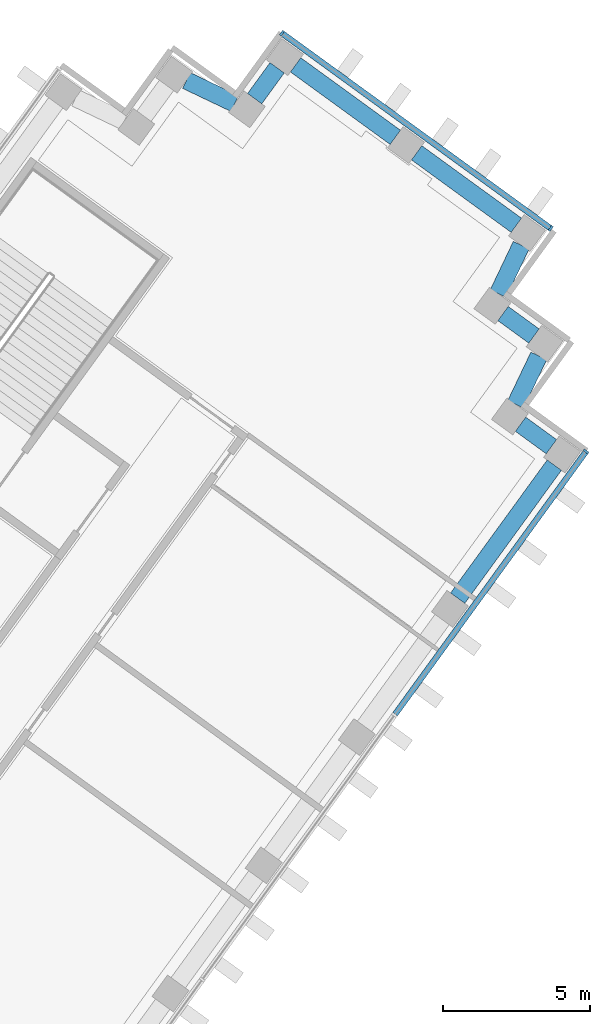
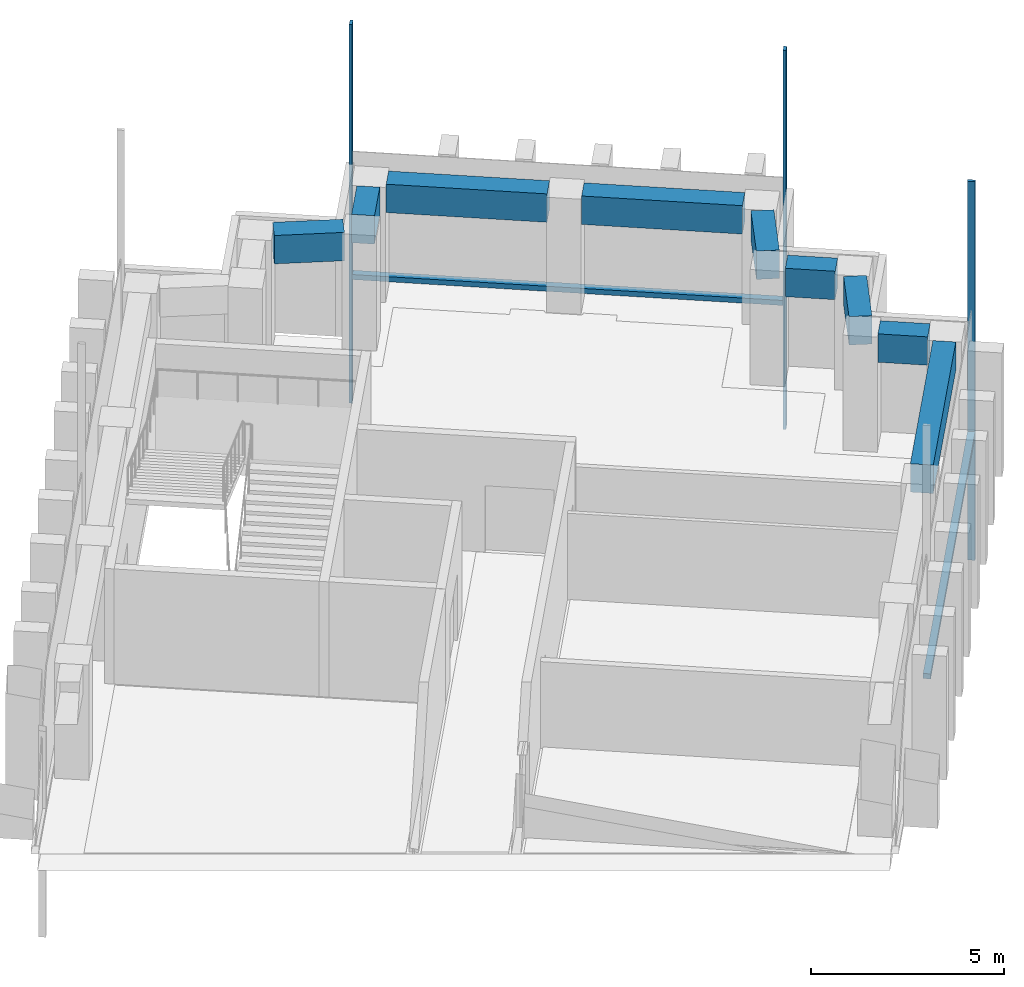
# One storey, part 7 of 19: 9 beams, 5 members, 2 elements without a shape of their own.
"""IFC4 building model written with IfcOpenShell, lengths in metres."""

from ifc_helpers import new_model, si_unit, direction, frame, origin, origin_2d, place, context, subcontext, project, spatial, rectangle, extrude, material, material_profile, profile_set, type_object, element, aggregate, save


model = new_model("IFC4")

# Units and contexts
model_context = context("Model", 3, precision=1e-05, world=origin(), true_north=direction((0.0, 1.0)))
body_context = subcontext(model_context, "Body", "Model", "MODEL_VIEW")
ifc_project = project(units=[si_unit("LENGTHUNIT", "METRE"), si_unit("AREAUNIT", "SQUARE_METRE"), si_unit("VOLUMEUNIT", "CUBIC_METRE"), si_unit("PLANEANGLEUNIT", "RADIAN"), si_unit("MASSUNIT", "GRAM", prefix="KILO")], contexts=[model_context])

# Site, building, storey
site_placement = place(None, origin())
site = spatial("IfcSite", under=ifc_project, at=site_placement, CompositionType="ELEMENT")
building_placement = place(site_placement, origin())
building = spatial("IfcBuilding", under=site, at=building_placement, Name="Quipu Civic Tower", CompositionType="ELEMENT")
storey_placement = place(building_placement, frame((0.0, 0.0, 35.0)))
storey = spatial("IfcBuildingStorey", under=building, at=storey_placement, Name="L07", CompositionType="ELEMENT", Elevation=35.0)

# Curtain wall, member
ifc_material_1 = material(Name="Insulated glass unit", Category="glass")
curtain_wall_type = type_object("IfcCurtainWallType", Name="Office curtain wall CW1", PredefinedType="NOTDEFINED", material=ifc_material_1)
curtain_wall_1_placement = place(storey_placement, origin())
curtain_wall_1 = element("IfcCurtainWall", 1, at=curtain_wall_1_placement, inside=storey, type_object=curtain_wall_type, Name="Office curtain wall CW1 L06 run 16", PredefinedType="NOTDEFINED")
ifc_material_2 = material(Name="Anodised aluminium", Category="aluminium")
ifc_material_profile_1 = material_profile(ifc_material_2, rectangle(XDim=0.199951171875, YDim=0.080078125, at=origin_2d()), Name="RECT 200x80")
ifc_profile_set_1 = profile_set([ifc_material_profile_1], Name="Anodised aluminium")
member_type_1 = type_object("IfcMemberType", Name="Mullion CW1", PredefinedType="MULLION", material=ifc_profile_set_1)
member_1_placement = place(storey_placement, frame((55.23046875, 29.606201171875, -3.919921875), z_axis=(0.0, 0.0, 1.0), x_axis=(-0.809016770908, 0.587785559869, 0.0)))
member_1 = element("IfcMember", 2, at=member_1_placement, type_object=member_type_1, Name="CW1 mullion 5", PredefinedType="MULLION", context=body_context, shape_type="SweptSolid", body=[
    extrude(rectangle(XDim=0.199951171875, YDim=0.080078125, at=origin_2d()), origin(), (0.0, 0.0, 1.0), 12.0),
])

# Curtain wall, members
curtain_wall_2_placement = place(storey_placement, origin())
curtain_wall_2 = element("IfcCurtainWall", 3, at=curtain_wall_2_placement, inside=storey, type_object=curtain_wall_type, Name="Office curtain wall CW1 L06 run 21", PredefinedType="NOTDEFINED")
member_2_placement = place(storey_placement, frame((54.027099609375, 37.204833984375, -3.919921875), z_axis=(0.0, 0.0, 1.0), x_axis=(-0.587782012621, -0.809019348124, 0.0)))
member_2 = element("IfcMember", 4, at=member_2_placement, type_object=member_type_1, Name="CW1 mullion 1", PredefinedType="MULLION", context=body_context, shape_type="SweptSolid", body=[
    extrude(rectangle(XDim=0.199951171875, YDim=0.080078125, at=origin_2d()), origin(), (0.0, 0.0, 1.0), 12.0),
])
member_3_placement = place(storey_placement, frame((44.869140625, 43.858642578125, -3.919921875), z_axis=(0.0, 0.0, 1.0), x_axis=(-0.587782012621, -0.809019348124, 0.0)))
member_3 = element("IfcMember", 5, at=member_3_placement, type_object=member_type_1, Name="CW1 mullion 2", PredefinedType="MULLION", context=body_context, shape_type="SweptSolid", body=[
    extrude(rectangle(XDim=0.199951171875, YDim=0.080078125, at=origin_2d()), origin(), (0.0, 0.0, 1.0), 12.0),
])

# Beams
ifc_material_3 = material(Name="Concrete C50/60", Category="concrete")
ifc_material_profile_2 = material_profile(ifc_material_3, rectangle(XDim=0.60009765625, YDim=0.89990234375, at=origin_2d()), Name="RC600x900")
ifc_profile_set_2 = profile_set([ifc_material_profile_2], Name="Concrete C50/60")
beam_type = type_object("IfcBeamType", Name="Spandrel beam RC 600x900 C50/60", PredefinedType="SPANDREL", material=ifc_profile_set_2)
beam_1_placement = place(storey_placement, frame((50.85693359375, 24.607666015625, 3.199951171875), z_axis=(0.587772657145, 0.809026145135, 0.0), x_axis=(-0.809026145135, 0.587772657145, 0.0)))
element("IfcBeam", 6, at=beam_1_placement, inside=storey, type_object=beam_type, Name="Spandrel beam L07 E-OUT-07 to T-Eo.0-E50", PredefinedType="SPANDREL", context=body_context, shape_type="SweptSolid", body=[
    extrude(rectangle(XDim=0.60009765625, YDim=0.89990234375, at=origin_2d()), origin(), (0.0, 0.0, 1.0), 5.603271484375),
])
beam_2_placement = place(storey_placement, frame((54.051025390625, 29.769775390625, 3.199951171875), z_axis=(-0.808549242423, 0.588428519514, 0.0), x_axis=(-0.588428519514, -0.808549242423, 0.0)))
element("IfcBeam", 7, at=beam_2_placement, inside=storey, type_object=beam_type, Name="Spandrel beam L07 T-Eo.0-E50 to T-Eo.1-E50", PredefinedType="SPANDREL", context=body_context, shape_type="SweptSolid", body=[
    extrude(rectangle(XDim=0.60009765625, YDim=0.89990234375, at=origin_2d()), origin(), (0.0, 0.0, 1.0), 1.2998046875),
])
beam_3_placement = place(storey_placement, frame((52.83349609375, 31.21240234375, 3.199951171875), z_axis=(0.431446050156, 0.902138739776, 0.0), x_axis=(-0.902138739776, 0.431446050156, 0.0)))
element("IfcBeam", 8, at=beam_3_placement, inside=storey, type_object=beam_type, Name="Spandrel beam L07 T-Eo.1-E50 to T-Eo.2-E50", PredefinedType="SPANDREL", context=body_context, shape_type="SweptSolid", body=[
    extrude(rectangle(XDim=0.60009765625, YDim=0.89990234375, at=origin_2d()), origin(), (0.0, 0.0, 1.0), 1.828857421875),
])
beam_4_placement = place(storey_placement, frame((53.4560546875, 33.539794921875, 3.199951171875), z_axis=(-0.808509099783, 0.588483674853, 0.0), x_axis=(-0.588483674853, -0.808509099783, 0.0)))
element("IfcBeam", 9, at=beam_4_placement, inside=storey, type_object=beam_type, Name="Spandrel beam L07 T-Eo.2-E50 to T-Eo.3-E50", PredefinedType="SPANDREL", context=body_context, shape_type="SweptSolid", body=[
    extrude(rectangle(XDim=0.60009765625, YDim=0.89990234375, at=origin_2d()), origin(), (0.0, 0.0, 1.0), 1.302734375),
])
beam_5_placement = place(storey_placement, frame((52.23583984375, 34.984375, 3.199951171875), z_axis=(0.430166558323, 0.902749540072, 0.0), x_axis=(-0.902749540072, 0.430166558323, 0.0)))
element("IfcBeam", 10, at=beam_5_placement, inside=storey, type_object=beam_type, Name="Spandrel beam L07 T-Eo.3-E50 to T-Eo.4-E50", PredefinedType="SPANDREL", context=body_context, shape_type="SweptSolid", body=[
    extrude(rectangle(XDim=0.60009765625, YDim=0.89990234375, at=origin_2d()), origin(), (0.0, 0.0, 1.0), 1.830322265625),
])
beam_6_placement = place(storey_placement, frame((52.85595703125, 37.314453125, 3.199951171875), z_axis=(-0.808959834407, 0.587863918196, 0.0), x_axis=(-0.587863918196, -0.808959834407, 0.0)))
element("IfcBeam", 11, at=beam_6_placement, inside=storey, type_object=beam_type, Name="Spandrel beam L07 T-Eo.4-E50 to TIP-E-01-E50", PredefinedType="SPANDREL", context=body_context, shape_type="SweptSolid", body=[
    extrude(rectangle(XDim=0.60009765625, YDim=0.89990234375, at=origin_2d()), origin(), (0.0, 0.0, 1.0), 4.1982421875),
])
beam_7_placement = place(storey_placement, frame((48.731689453125, 40.3115234375, 3.199951171875), z_axis=(-0.808969789945, 0.58785021813, 0.0), x_axis=(-0.58785021813, -0.808969789945, 0.0)))
element("IfcBeam", 12, at=beam_7_placement, inside=storey, type_object=beam_type, Name="Spandrel beam L07 TIP-E-01-E50 to T-Ei.0-E50", PredefinedType="SPANDREL", context=body_context, shape_type="SweptSolid", body=[
    extrude(rectangle(XDim=0.60009765625, YDim=0.89990234375, at=origin_2d()), origin(), (0.0, 0.0, 1.0), 4.199951171875),
])
beam_8_placement = place(storey_placement, frame((44.705322265625, 42.68115234375, 3.199951171875), z_axis=(-0.588383572423, -0.808581951136, 0.0), x_axis=(0.808581951136, -0.588383572423, 0.0)))
element("IfcBeam", 13, at=beam_8_placement, inside=storey, type_object=beam_type, Name="Spandrel beam L07 T-Ei.0-E50 to T-Ei.1-E50", PredefinedType="SPANDREL", context=body_context, shape_type="SweptSolid", body=[
    extrude(rectangle(XDim=0.60009765625, YDim=0.89990234375, at=origin_2d()), origin(), (0.0, 0.0, 1.0), 1.3017578125),
])
beam_9_placement = place(storey_placement, frame((43.261474609375, 41.4619140625, 3.199951171875), z_axis=(-0.902613270121, 0.430452418511, 0.0), x_axis=(-0.430452418511, -0.902613270121, 0.0)))
element("IfcBeam", 14, at=beam_9_placement, inside=storey, type_object=beam_type, Name="Spandrel beam L07 T-Ei.1-E50 to T-Ei.2-E50", PredefinedType="SPANDREL", context=body_context, shape_type="SweptSolid", body=[
    extrude(rectangle(XDim=0.60009765625, YDim=0.89990234375, at=origin_2d()), origin(), (0.0, 0.0, 1.0), 1.826416015625),
])

# Member
ifc_material_4 = material(Name="Anodised aluminium", Category="aluminium")
ifc_material_profile_3 = material_profile(ifc_material_4, rectangle(XDim=0.199951171875, YDim=0.159912109375, at=origin_2d()), Name="RECT 200x160")
ifc_profile_set_3 = profile_set([ifc_material_profile_3], Name="Anodised aluminium")
member_type_2 = type_object("IfcMemberType", Name="Transom CW1", PredefinedType="USERDEFINED", material=ifc_profile_set_3)
member_4_placement = place(storey_placement, frame((48.72802734375, 20.65625, 0.080078125), z_axis=(0.587779179422, 0.809021406539, 0.0), x_axis=(-0.809021406539, 0.587779179422, 0.0)))
member_4 = element("IfcMember", 15, at=member_4_placement, type_object=member_type_2, Name="CW1 transom 4.2", ObjectType="TRANSOM", PredefinedType="USERDEFINED", context=body_context, shape_type="SweptSolid", body=[
    extrude(rectangle(XDim=0.199951171875, YDim=0.159912109375, at=origin_2d()), origin(), (0.0, 0.0, 1.0), 11.02294921875),
])

aggregate(curtain_wall_1, [member_1, member_4])

member_5_placement = place(storey_placement, frame((53.994873046875, 37.228515625, 0.080078125), z_axis=(-0.809032792449, 0.587763507495, 0.0), x_axis=(-0.587763507495, -0.809032792449, 0.0)))
member_5 = element("IfcMember", 16, at=member_5_placement, type_object=member_type_2, Name="CW1 transom 1.2", ObjectType="TRANSOM", PredefinedType="USERDEFINED", context=body_context, shape_type="SweptSolid", body=[
    extrude(rectangle(XDim=0.199951171875, YDim=0.159912109375, at=origin_2d()), origin(), (0.0, 0.0, 1.0), 11.239990234375),
])

aggregate(curtain_wall_2, [member_2, member_3, member_5])

save(model, "model.ifc")
